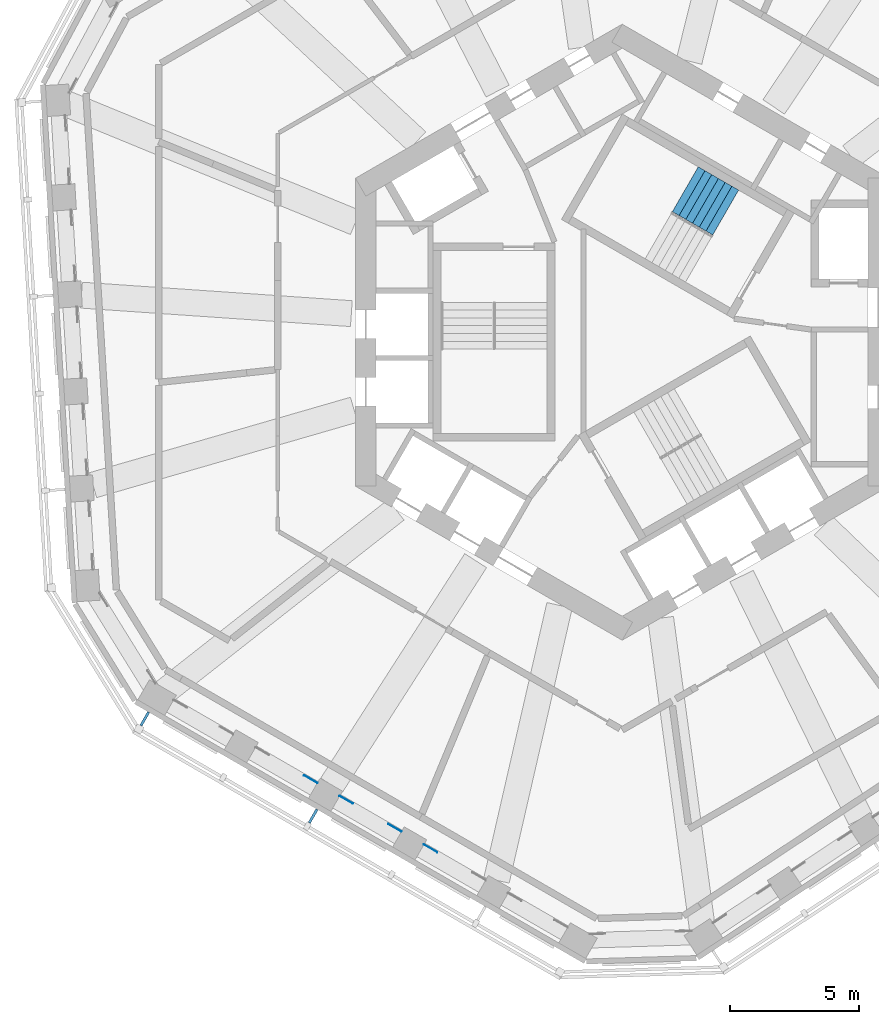
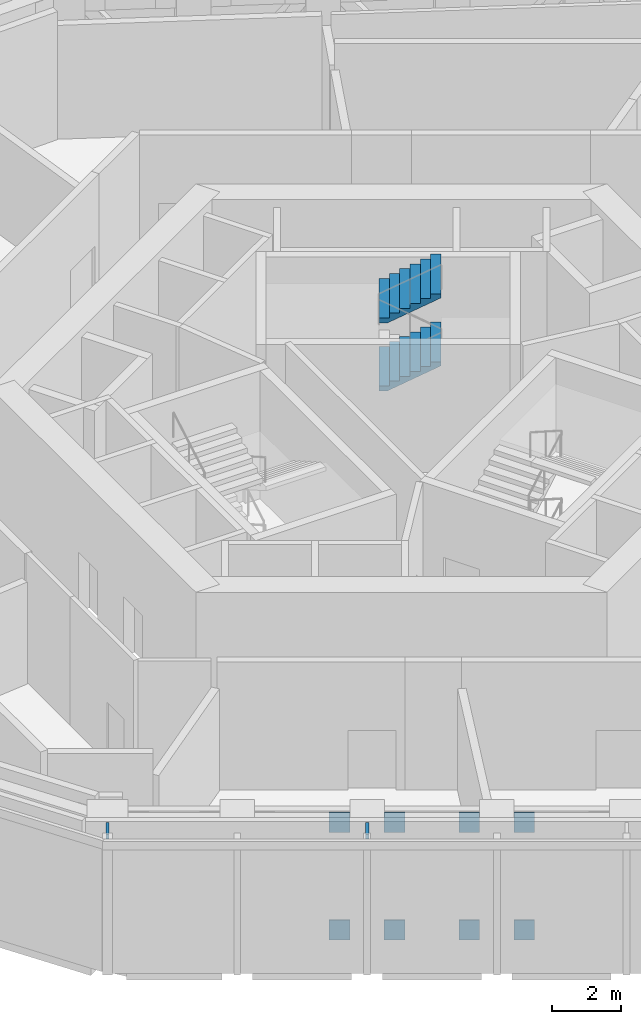
# One storey, part 10 of 15: 10 discrete accessories, 2 stair flights, 1 element without a shape of its own.
"""IFC4 building model written with IfcOpenShell, lengths in metres."""

from ifc_helpers import new_model, si_unit, direction, frame, origin, origin_2d, place, context, subcontext, project, spatial, rectangle, extrude, triangles, source, transform, mapped, material, layer, layer_set, type_object, element, aggregate, save


model = new_model("IFC4")

# Units and contexts
model_context = context("Model", 3, precision=1e-05, world=origin(), true_north=direction((0.0, 1.0)))
body_context = subcontext(model_context, "Body", "Model", "MODEL_VIEW")
ifc_project = project(units=[si_unit("LENGTHUNIT", "METRE"), si_unit("AREAUNIT", "SQUARE_METRE"), si_unit("VOLUMEUNIT", "CUBIC_METRE"), si_unit("PLANEANGLEUNIT", "RADIAN"), si_unit("MASSUNIT", "GRAM", prefix="KILO")], contexts=[model_context])

# Site, building, storey
site_placement = place(None, origin())
site = spatial("IfcSite", under=ifc_project, at=site_placement, CompositionType="ELEMENT")
building_placement = place(site_placement, origin())
building = spatial("IfcBuilding", under=site, at=building_placement, Name="Vanh Sen Convention Tower", CompositionType="ELEMENT")
storey_placement = place(building_placement, frame((0.0, 0.0, 205.800048828125)))
storey = spatial("IfcBuildingStorey", under=building, at=storey_placement, Name="L51", CompositionType="ELEMENT", Elevation=205.800048828125)

# Stair, stair flights
ifc_material_1 = material(Name="Concrete C50/60", Category="concrete")
stair_type = type_object("IfcStairType", Name="Exit stair ST1 28 risers at 171.4", PredefinedType="HALF_TURN_STAIR", material=ifc_material_1)
stair_placement = place(storey_placement, origin())
stair = element("IfcStair", 1, at=stair_placement, inside=storey, type_object=stair_type, Name="Exit stair ST1 L51", PredefinedType="HALF_TURN_STAIR")
ifc_material_2 = material(Name="Concrete C40/50", Category="concrete")
stair_flight_type = type_object("IfcStairFlightType", Name="Stair flight 2000", PredefinedType="STRAIGHT", material=ifc_material_2)
shared_shape = source(origin(), body_context, "Body", "Tessellation", [
    triangles([(0.251953125, 1.0, 0.0), (0.0, 1.0, 0.0), (0.0, 1.0, 0.17138671875), (0.300048828125, 1.0, 0.17138671875), (0.300048828125, 1.0, 0.3427734375), (0.60009765625, 1.0, 0.3427734375), (0.60009765625, 1.0, 0.514404296875), (0.89990234375, 1.0, 0.514404296875), (0.89990234375, 1.0, 0.685791015625), (1.199951171875, 1.0, 0.685791015625), (1.199951171875, 1.0, 0.857177734375), (1.5, 1.0, 0.857177734375), (1.5, 1.0, 1.028564453125), (1.800048828125, 1.0, 1.028564453125), (1.800048828125, 1.0, 0.884521484375), (0.251953125, -1.0, 0.0), (0.0, -1.0, 0.0), (0.0, -1.0, 0.17138671875), (0.300048828125, -1.0, 0.17138671875), (0.300048828125, -1.0, 0.3427734375), (0.60009765625, -1.0, 0.3427734375), (0.60009765625, -1.0, 0.514404296875), (0.89990234375, -1.0, 0.514404296875), (0.89990234375, -1.0, 0.685791015625), (1.199951171875, -1.0, 0.685791015625), (1.199951171875, -1.0, 0.857177734375), (1.5, -1.0, 0.857177734375), (1.5, -1.0, 1.028564453125), (1.800048828125, -1.0, 1.028564453125), (1.800048828125, -1.0, 0.884521484375), (0.0, 0.0400390625, 0.0), (0.0, 0.0390625, 0.0), (0.0, 0.0380859375, 0.0), (0.0, 0.037109375, 0.0), (0.0, 0.035888671875, 0.0), (0.0, 0.034912109375, 0.0), (0.0, 0.033935546875, 0.0), (0.0, 0.032958984375, 0.0), (0.0, 0.031982421875, 0.0), (0.0, 0.031005859375, 0.0), (0.0, 0.030029296875, 0.0), (0.0, 0.029052734375, 0.0), (0.0, 0.028076171875, 0.0), (0.0, 0.027099609375, 0.0), (0.0, 0.02587890625, 0.0), (0.0, 0.02490234375, 0.0), (0.0, 0.02392578125, 0.0), (0.0, 0.02294921875, 0.0), (0.0, 0.02197265625, 0.0), (0.0, 0.02099609375, 0.0), (0.0, 0.02001953125, 0.0), (0.0, 0.01904296875, 0.0), (0.0, 0.01806640625, 0.0), (0.0, 0.01708984375, 0.0), (0.0, 0.01611328125, 0.0), (0.0, 0.014892578125, 0.0), (0.0, 0.013916015625, 0.0), (0.0, 0.012939453125, 0.0), (0.0, 0.011962890625, 0.0), (0.0, 0.010986328125, 0.0), (0.0, 0.010009765625, 0.0), (0.0, 0.009033203125, 0.0), (0.0, 0.008056640625, 0.0), (0.0, 0.007080078125, 0.0), (0.0, 0.006103515625, 0.0), (0.0, 0.0048828125, 0.0), (0.0, 0.00390625, 0.0), (0.0, 0.0029296875, 0.0), (0.0, 0.001953125, 0.0), (0.0, 0.0009765625, 0.0), (0.0, 0.0, 0.0), (0.0, -0.0009765625, 0.0), (0.0, -0.001953125, 0.0), (0.0, -0.0029296875, 0.0), (0.0, -0.00390625, 0.0), (0.0, -0.0048828125, 0.0), (0.0, -0.006103515625, 0.0), (0.0, -0.007080078125, 0.0), (0.0, -0.008056640625, 0.0), (0.0, -0.009033203125, 0.0), (0.0, -0.010009765625, 0.0), (0.0, -0.010986328125, 0.0), (0.0, -0.011962890625, 0.0), (0.0, -0.012939453125, 0.0), (0.0, -0.013916015625, 0.0), (0.0, -0.014892578125, 0.0), (0.0, -0.01611328125, 0.0), (0.0, -0.01708984375, 0.0), (0.0, -0.01806640625, 0.0), (0.0, -0.01904296875, 0.0), (0.0, -0.02001953125, 0.0), (0.0, -0.02099609375, 0.0), (0.0, -0.02197265625, 0.0), (0.0, -0.02294921875, 0.0), (0.0, -0.02392578125, 0.0), (0.0, -0.02490234375, 0.0), (0.0, -0.02587890625, 0.0), (0.0, -0.027099609375, 0.0), (0.0, -0.028076171875, 0.0), (0.0, -0.029052734375, 0.0), (0.0, -0.030029296875, 0.0), (0.0, -0.031005859375, 0.0), (0.0, -0.031982421875, 0.0), (0.0, -0.032958984375, 0.0), (0.0, -0.033935546875, 0.0), (0.0, -0.034912109375, 0.0), (0.0, -0.035888671875, 0.0), (0.0, -0.037109375, 0.0), (0.0, -0.0380859375, 0.0), (0.0, -0.0390625, 0.0), (0.0, -0.0400390625, 0.0), (0.0, 0.0400390625, 0.17138671875), (0.0, 0.0390625, 0.17138671875), (0.0, 0.0380859375, 0.17138671875), (0.0, 0.037109375, 0.17138671875), (0.0, 0.035888671875, 0.17138671875), (0.0, 0.034912109375, 0.17138671875), (0.0, 0.033935546875, 0.17138671875), (0.0, 0.032958984375, 0.17138671875), (0.0, 0.031982421875, 0.17138671875), (0.0, 0.031005859375, 0.17138671875), (0.0, 0.030029296875, 0.17138671875), (0.0, 0.029052734375, 0.17138671875), (0.0, 0.028076171875, 0.17138671875), (0.0, 0.027099609375, 0.17138671875), (0.0, 0.02587890625, 0.17138671875), (0.0, 0.02490234375, 0.17138671875), (0.0, 0.02392578125, 0.17138671875), (0.0, 0.02294921875, 0.17138671875), (0.0, 0.02197265625, 0.17138671875), (0.0, 0.02099609375, 0.17138671875), (0.0, 0.02001953125, 0.17138671875), (0.0, 0.01904296875, 0.17138671875), (0.0, 0.01806640625, 0.17138671875), (0.0, 0.01708984375, 0.17138671875), (0.0, 0.01611328125, 0.17138671875), (0.0, 0.014892578125, 0.17138671875), (0.0, 0.013916015625, 0.17138671875), (0.0, 0.012939453125, 0.17138671875), (0.0, 0.011962890625, 0.17138671875), (0.0, 0.010986328125, 0.17138671875), (0.0, 0.010009765625, 0.17138671875), (0.0, 0.009033203125, 0.17138671875), (0.0, 0.008056640625, 0.17138671875), (0.0, 0.007080078125, 0.17138671875), (0.0, 0.006103515625, 0.17138671875), (0.0, 0.0048828125, 0.17138671875), (0.0, 0.00390625, 0.17138671875), (0.0, 0.0029296875, 0.17138671875), (0.0, 0.001953125, 0.17138671875), (0.0, 0.0009765625, 0.17138671875), (0.0, 0.0, 0.17138671875), (0.0, -0.0009765625, 0.17138671875), (0.0, -0.001953125, 0.17138671875), (0.0, -0.0029296875, 0.17138671875), (0.0, -0.00390625, 0.17138671875), (0.0, -0.0048828125, 0.17138671875), (0.0, -0.006103515625, 0.17138671875), (0.0, -0.007080078125, 0.17138671875), (0.0, -0.008056640625, 0.17138671875), (0.0, -0.009033203125, 0.17138671875), (0.0, -0.010009765625, 0.17138671875), (0.0, -0.010986328125, 0.17138671875), (0.0, -0.011962890625, 0.17138671875), (0.0, -0.012939453125, 0.17138671875), (0.0, -0.013916015625, 0.17138671875), (0.0, -0.014892578125, 0.17138671875), (0.0, -0.01611328125, 0.17138671875), (0.0, -0.01708984375, 0.17138671875), (0.0, -0.01806640625, 0.17138671875), (0.0, -0.01904296875, 0.17138671875), (0.0, -0.02001953125, 0.17138671875), (0.0, -0.02099609375, 0.17138671875), (0.0, -0.02197265625, 0.17138671875), (0.0, -0.02294921875, 0.17138671875), (0.0, -0.02392578125, 0.17138671875), (0.0, -0.02490234375, 0.17138671875), (0.0, -0.02587890625, 0.17138671875), (0.0, -0.027099609375, 0.17138671875), (0.0, -0.028076171875, 0.17138671875), (0.0, -0.029052734375, 0.17138671875), (0.0, -0.030029296875, 0.17138671875), (0.0, -0.031005859375, 0.17138671875), (0.0, -0.031982421875, 0.17138671875), (0.0, -0.032958984375, 0.17138671875), (0.0, -0.033935546875, 0.17138671875), (0.0, -0.034912109375, 0.17138671875), (0.0, -0.035888671875, 0.17138671875), (0.0, -0.037109375, 0.17138671875), (0.0, -0.0380859375, 0.17138671875), (0.0, -0.0390625, 0.17138671875), (0.0, -0.0400390625, 0.17138671875), (0.300048828125, 0.0, 0.17138671875), (0.300048828125, 0.0, 0.3427734375), (0.60009765625, 0.0, 0.3427734375), (0.60009765625, 0.0, 0.514404296875), (0.89990234375, 0.0, 0.514404296875), (0.89990234375, 0.0, 0.685791015625), (1.199951171875, 0.0, 0.685791015625), (1.199951171875, 0.0, 0.857177734375), (1.5, 0.0, 0.857177734375), (1.5, 0.0, 1.028564453125), (1.800048828125, 0.0400390625, 1.028564453125), (1.800048828125, 0.0390625, 1.028564453125), (1.800048828125, 0.0380859375, 1.028564453125), (1.800048828125, 0.037109375, 1.028564453125), (1.800048828125, 0.035888671875, 1.028564453125), (1.800048828125, 0.034912109375, 1.028564453125), (1.800048828125, 0.033935546875, 1.028564453125), (1.800048828125, 0.032958984375, 1.028564453125), (1.800048828125, 0.031982421875, 1.028564453125), (1.800048828125, 0.031005859375, 1.028564453125), (1.800048828125, 0.030029296875, 1.028564453125), (1.800048828125, 0.029052734375, 1.028564453125), (1.800048828125, 0.028076171875, 1.028564453125), (1.800048828125, 0.027099609375, 1.028564453125), (1.800048828125, 0.02587890625, 1.028564453125), (1.800048828125, 0.02490234375, 1.028564453125), (1.800048828125, 0.02392578125, 1.028564453125), (1.800048828125, 0.02294921875, 1.028564453125), (1.800048828125, 0.02197265625, 1.028564453125), (1.800048828125, 0.02099609375, 1.028564453125), (1.800048828125, 0.02001953125, 1.028564453125), (1.800048828125, 0.01904296875, 1.028564453125), (1.800048828125, 0.01806640625, 1.028564453125), (1.800048828125, 0.01708984375, 1.028564453125), (1.800048828125, 0.01611328125, 1.028564453125), (1.800048828125, 0.014892578125, 1.028564453125), (1.800048828125, 0.013916015625, 1.028564453125), (1.800048828125, 0.012939453125, 1.028564453125), (1.800048828125, 0.011962890625, 1.028564453125), (1.800048828125, 0.010986328125, 1.028564453125), (1.800048828125, 0.010009765625, 1.028564453125), (1.800048828125, 0.009033203125, 1.028564453125), (1.800048828125, 0.008056640625, 1.028564453125), (1.800048828125, 0.007080078125, 1.028564453125), (1.800048828125, 0.006103515625, 1.028564453125), (1.800048828125, 0.0048828125, 1.028564453125), (1.800048828125, 0.00390625, 1.028564453125), (1.800048828125, 0.0029296875, 1.028564453125), (1.800048828125, 0.001953125, 1.028564453125), (1.800048828125, 0.0009765625, 1.028564453125), (1.800048828125, 0.0, 1.028564453125), (1.800048828125, -0.0009765625, 1.028564453125), (1.800048828125, -0.001953125, 1.028564453125), (1.800048828125, -0.0029296875, 1.028564453125), (1.800048828125, -0.00390625, 1.028564453125), (1.800048828125, -0.0048828125, 1.028564453125), (1.800048828125, -0.006103515625, 1.028564453125), (1.800048828125, -0.007080078125, 1.028564453125), (1.800048828125, -0.008056640625, 1.028564453125), (1.800048828125, -0.009033203125, 1.028564453125), (1.800048828125, -0.010009765625, 1.028564453125), (1.800048828125, -0.010986328125, 1.028564453125), (1.800048828125, -0.011962890625, 1.028564453125), (1.800048828125, -0.012939453125, 1.028564453125), (1.800048828125, -0.013916015625, 1.028564453125), (1.800048828125, -0.014892578125, 1.028564453125), (1.800048828125, -0.01611328125, 1.028564453125), (1.800048828125, -0.01708984375, 1.028564453125), (1.800048828125, -0.01806640625, 1.028564453125), (1.800048828125, -0.01904296875, 1.028564453125), (1.800048828125, -0.02001953125, 1.028564453125), (1.800048828125, -0.02099609375, 1.028564453125), (1.800048828125, -0.02197265625, 1.028564453125), (1.800048828125, -0.02294921875, 1.028564453125), (1.800048828125, -0.02392578125, 1.028564453125), (1.800048828125, -0.02490234375, 1.028564453125), (1.800048828125, -0.02587890625, 1.028564453125), (1.800048828125, -0.027099609375, 1.028564453125), (1.800048828125, -0.028076171875, 1.028564453125), (1.800048828125, -0.029052734375, 1.028564453125), (1.800048828125, -0.030029296875, 1.028564453125), (1.800048828125, -0.031005859375, 1.028564453125), (1.800048828125, -0.031982421875, 1.028564453125), (1.800048828125, -0.032958984375, 1.028564453125), (1.800048828125, -0.033935546875, 1.028564453125), (1.800048828125, -0.034912109375, 1.028564453125), (1.800048828125, -0.035888671875, 1.028564453125), (1.800048828125, -0.037109375, 1.028564453125), (1.800048828125, -0.0380859375, 1.028564453125), (1.800048828125, -0.0390625, 1.028564453125), (1.800048828125, -0.0400390625, 1.028564453125), (1.800048828125, 0.0400390625, 0.884521484375), (1.800048828125, 0.0390625, 0.884521484375), (1.800048828125, 0.0380859375, 0.884521484375), (1.800048828125, 0.037109375, 0.884521484375), (1.800048828125, 0.035888671875, 0.884521484375), (1.800048828125, 0.034912109375, 0.884521484375), (1.800048828125, 0.033935546875, 0.884521484375), (1.800048828125, 0.032958984375, 0.884521484375), (1.800048828125, 0.031982421875, 0.884521484375), (1.800048828125, 0.031005859375, 0.884521484375), (1.800048828125, 0.030029296875, 0.884521484375), (1.800048828125, 0.029052734375, 0.884521484375), (1.800048828125, 0.028076171875, 0.884521484375), (1.800048828125, 0.027099609375, 0.884521484375), (1.800048828125, 0.02587890625, 0.884521484375), (1.800048828125, 0.02490234375, 0.884521484375), (1.800048828125, 0.02392578125, 0.884521484375), (1.800048828125, 0.02294921875, 0.884521484375), (1.800048828125, 0.02197265625, 0.884521484375), (1.800048828125, 0.02099609375, 0.884521484375), (1.800048828125, 0.02001953125, 0.884521484375), (1.800048828125, 0.01904296875, 0.884521484375), (1.800048828125, 0.01806640625, 0.884521484375), (1.800048828125, 0.01708984375, 0.884521484375), (1.800048828125, 0.01611328125, 0.884521484375), (1.800048828125, 0.014892578125, 0.884521484375), (1.800048828125, 0.013916015625, 0.884521484375), (1.800048828125, 0.012939453125, 0.884521484375), (1.800048828125, 0.011962890625, 0.884521484375), (1.800048828125, 0.010986328125, 0.884521484375), (1.800048828125, 0.010009765625, 0.884521484375), (1.800048828125, 0.009033203125, 0.884521484375), (1.800048828125, 0.008056640625, 0.884521484375), (1.800048828125, 0.007080078125, 0.884521484375), (1.800048828125, 0.006103515625, 0.884521484375), (1.800048828125, 0.0048828125, 0.884521484375), (1.800048828125, 0.00390625, 0.884521484375), (1.800048828125, 0.0029296875, 0.884521484375), (1.800048828125, 0.001953125, 0.884521484375), (1.800048828125, 0.0009765625, 0.884521484375), (1.800048828125, 0.0, 0.884521484375), (1.800048828125, -0.0009765625, 0.884521484375), (1.800048828125, -0.001953125, 0.884521484375), (1.800048828125, -0.0029296875, 0.884521484375), (1.800048828125, -0.00390625, 0.884521484375), (1.800048828125, -0.0048828125, 0.884521484375), (1.800048828125, -0.006103515625, 0.884521484375), (1.800048828125, -0.007080078125, 0.884521484375), (1.800048828125, -0.008056640625, 0.884521484375), (1.800048828125, -0.009033203125, 0.884521484375), (1.800048828125, -0.010009765625, 0.884521484375), (1.800048828125, -0.010986328125, 0.884521484375), (1.800048828125, -0.011962890625, 0.884521484375), (1.800048828125, -0.012939453125, 0.884521484375), (1.800048828125, -0.013916015625, 0.884521484375), (1.800048828125, -0.014892578125, 0.884521484375), (1.800048828125, -0.01611328125, 0.884521484375), (1.800048828125, -0.01708984375, 0.884521484375), (1.800048828125, -0.01806640625, 0.884521484375), (1.800048828125, -0.01904296875, 0.884521484375), (1.800048828125, -0.02001953125, 0.884521484375), (1.800048828125, -0.02099609375, 0.884521484375), (1.800048828125, -0.02197265625, 0.884521484375), (1.800048828125, -0.02294921875, 0.884521484375), (1.800048828125, -0.02392578125, 0.884521484375), (1.800048828125, -0.02490234375, 0.884521484375), (1.800048828125, -0.02587890625, 0.884521484375), (1.800048828125, -0.027099609375, 0.884521484375), (1.800048828125, -0.028076171875, 0.884521484375), (1.800048828125, -0.029052734375, 0.884521484375), (1.800048828125, -0.030029296875, 0.884521484375), (1.800048828125, -0.031005859375, 0.884521484375), (1.800048828125, -0.031982421875, 0.884521484375), (1.800048828125, -0.032958984375, 0.884521484375), (1.800048828125, -0.033935546875, 0.884521484375), (1.800048828125, -0.034912109375, 0.884521484375), (1.800048828125, -0.035888671875, 0.884521484375), (1.800048828125, -0.037109375, 0.884521484375), (1.800048828125, -0.0380859375, 0.884521484375), (1.800048828125, -0.0390625, 0.884521484375), (1.800048828125, -0.0400390625, 0.884521484375), (0.251953125, 0.0, 0.0)], [[1, 2, 3], [1, 3, 4], [4, 5, 6], [1, 4, 6], [6, 7, 8], [1, 6, 8], [8, 9, 10], [1, 8, 10], [10, 11, 12], [1, 10, 12], [12, 13, 14], [1, 12, 14], [14, 15, 1], [16, 18, 17], [16, 19, 18], [19, 21, 20], [16, 21, 19], [21, 23, 22], [16, 23, 21], [23, 25, 24], [16, 25, 23], [25, 27, 26], [16, 27, 25], [27, 29, 28], [16, 29, 27], [29, 16, 30], [2, 112, 3], [2, 31, 112], [31, 113, 112], [31, 32, 113], [32, 114, 113], [32, 33, 114], [33, 115, 114], [33, 34, 115], [34, 116, 115], [34, 35, 116], [35, 117, 116], [35, 36, 117], [36, 118, 117], [36, 37, 118], [37, 119, 118], [37, 38, 119], [38, 120, 119], [38, 39, 120], [39, 121, 120], [39, 40, 121], [40, 122, 121], [40, 41, 122], [41, 123, 122], [41, 42, 123], [42, 124, 123], [42, 43, 124], [43, 125, 124], [43, 44, 125], [44, 126, 125], [44, 45, 126], [45, 127, 126], [45, 46, 127], [46, 128, 127], [46, 47, 128], [47, 129, 128], [47, 48, 129], [48, 130, 129], [48, 49, 130], [49, 131, 130], [49, 50, 131], [50, 132, 131], [50, 51, 132], [51, 133, 132], [51, 52, 133], [52, 134, 133], [52, 53, 134], [53, 135, 134], [53, 54, 135], [54, 136, 135], [54, 55, 136], [55, 137, 136], [55, 56, 137], [56, 138, 137], [56, 57, 138], [57, 139, 138], [57, 58, 139], [58, 140, 139], [58, 59, 140], [59, 141, 140], [59, 60, 141], [60, 142, 141], [60, 61, 142], [61, 143, 142], [61, 62, 143], [62, 144, 143], [62, 63, 144], [63, 145, 144], [63, 64, 145], [64, 146, 145], [64, 65, 146], [65, 147, 146], [65, 66, 147], [66, 148, 147], [66, 67, 148], [67, 149, 148], [67, 68, 149], [68, 150, 149], [68, 69, 150], [69, 151, 150], [69, 70, 151], [70, 152, 151], [70, 71, 152], [71, 72, 152], [152, 72, 153], [72, 73, 153], [153, 73, 154], [73, 74, 154], [154, 74, 155], [74, 75, 155], [155, 75, 156], [75, 76, 156], [156, 76, 157], [76, 77, 157], [157, 77, 158], [77, 78, 158], [158, 78, 159], [78, 79, 159], [159, 79, 160], [79, 80, 160], [160, 80, 161], [80, 81, 161], [161, 81, 162], [81, 82, 162], [162, 82, 163], [82, 83, 163], [163, 83, 164], [83, 84, 164], [164, 84, 165], [84, 85, 165], [165, 85, 166], [85, 86, 166], [166, 86, 167], [86, 87, 167], [167, 87, 168], [87, 88, 168], [168, 88, 169], [88, 89, 169], [169, 89, 170], [89, 90, 170], [170, 90, 171], [90, 91, 171], [171, 91, 172], [91, 92, 172], [172, 92, 173], [92, 93, 173], [173, 93, 174], [93, 94, 174], [174, 94, 175], [94, 95, 175], [175, 95, 176], [95, 96, 176], [176, 96, 177], [96, 97, 177], [177, 97, 178], [97, 98, 178], [178, 98, 179], [98, 99, 179], [179, 99, 180], [99, 100, 180], [180, 100, 181], [100, 101, 181], [181, 101, 182], [101, 102, 182], [182, 102, 183], [102, 103, 183], [183, 103, 184], [103, 104, 184], [184, 104, 185], [104, 105, 185], [185, 105, 186], [105, 106, 186], [186, 106, 187], [106, 107, 187], [187, 107, 188], [107, 108, 188], [188, 108, 189], [108, 109, 189], [189, 109, 190], [109, 110, 190], [190, 110, 191], [110, 111, 191], [191, 111, 192], [111, 17, 192], [192, 17, 18], [4, 3, 112], [4, 112, 113], [4, 113, 114], [4, 114, 115], [4, 115, 116], [4, 116, 117], [4, 117, 118], [4, 118, 119], [4, 119, 120], [4, 120, 121], [4, 121, 122], [4, 122, 123], [4, 123, 124], [4, 124, 125], [4, 125, 126], [4, 126, 127], [4, 127, 128], [4, 128, 129], [4, 129, 130], [4, 130, 131], [4, 131, 132], [4, 132, 133], [4, 133, 134], [4, 134, 135], [4, 135, 136], [4, 136, 137], [4, 137, 138], [4, 138, 139], [4, 139, 140], [4, 140, 141], [4, 141, 142], [4, 142, 143], [4, 143, 144], [4, 144, 145], [4, 145, 146], [4, 146, 147], [4, 147, 148], [4, 148, 149], [4, 149, 150], [4, 150, 151], [4, 151, 152], [19, 152, 153], [19, 153, 154], [19, 154, 155], [19, 155, 156], [19, 156, 157], [19, 157, 158], [19, 158, 159], [19, 159, 160], [19, 160, 161], [19, 161, 162], [19, 162, 163], [19, 163, 164], [19, 164, 165], [19, 165, 166], [19, 166, 167], [19, 167, 168], [19, 168, 169], [19, 169, 170], [19, 170, 171], [19, 171, 172], [19, 172, 173], [19, 173, 174], [19, 174, 175], [19, 175, 176], [19, 176, 177], [19, 177, 178], [19, 178, 179], [19, 179, 180], [19, 180, 181], [19, 181, 182], [19, 182, 183], [19, 183, 184], [19, 184, 185], [19, 185, 186], [19, 186, 187], [19, 187, 188], [19, 188, 189], [19, 189, 190], [19, 190, 191], [19, 191, 192], [19, 192, 18], [4, 152, 193], [19, 193, 152], [4, 194, 5], [4, 193, 194], [193, 19, 194], [194, 19, 20], [5, 195, 6], [5, 194, 195], [194, 20, 195], [195, 20, 21], [6, 196, 7], [6, 195, 196], [195, 21, 196], [196, 21, 22], [7, 197, 8], [7, 196, 197], [196, 22, 197], [197, 22, 23], [8, 198, 9], [8, 197, 198], [197, 23, 198], [198, 23, 24], [9, 199, 10], [9, 198, 199], [198, 24, 199], [199, 24, 25], [10, 200, 11], [10, 199, 200], [199, 25, 200], [200, 25, 26], [11, 201, 12], [11, 200, 201], [200, 26, 201], [201, 26, 27], [12, 202, 13], [12, 201, 202], [201, 27, 202], [202, 27, 28], [13, 203, 14], [13, 204, 203], [13, 205, 204], [13, 206, 205], [13, 207, 206], [13, 208, 207], [13, 209, 208], [13, 210, 209], [13, 211, 210], [13, 212, 211], [13, 213, 212], [13, 214, 213], [13, 215, 214], [13, 216, 215], [13, 217, 216], [13, 218, 217], [13, 219, 218], [13, 220, 219], [13, 221, 220], [13, 222, 221], [13, 223, 222], [13, 224, 223], [13, 225, 224], [13, 226, 225], [13, 227, 226], [13, 228, 227], [13, 229, 228], [13, 230, 229], [13, 231, 230], [13, 232, 231], [13, 233, 232], [13, 234, 233], [13, 235, 234], [13, 236, 235], [13, 237, 236], [13, 238, 237], [13, 239, 238], [13, 240, 239], [13, 241, 240], [13, 242, 241], [13, 243, 242], [28, 244, 243], [28, 245, 244], [28, 246, 245], [28, 247, 246], [28, 248, 247], [28, 249, 248], [28, 250, 249], [28, 251, 250], [28, 252, 251], [28, 253, 252], [28, 254, 253], [28, 255, 254], [28, 256, 255], [28, 257, 256], [28, 258, 257], [28, 259, 258], [28, 260, 259], [28, 261, 260], [28, 262, 261], [28, 263, 262], [28, 264, 263], [28, 265, 264], [28, 266, 265], [28, 267, 266], [28, 268, 267], [28, 269, 268], [28, 270, 269], [28, 271, 270], [28, 272, 271], [28, 273, 272], [28, 274, 273], [28, 275, 274], [28, 276, 275], [28, 277, 276], [28, 278, 277], [28, 279, 278], [28, 280, 279], [28, 281, 280], [28, 282, 281], [28, 283, 282], [28, 29, 283], [13, 202, 243], [28, 243, 202], [14, 284, 15], [14, 203, 284], [203, 285, 284], [203, 204, 285], [204, 286, 285], [204, 205, 286], [205, 287, 286], [205, 206, 287], [206, 288, 287], [206, 207, 288], [207, 289, 288], [207, 208, 289], [208, 290, 289], [208, 209, 290], [209, 291, 290], [209, 210, 291], [210, 292, 291], [210, 211, 292], [211, 293, 292], [211, 212, 293], [212, 294, 293], [212, 213, 294], [213, 295, 294], [213, 214, 295], [214, 296, 295], [214, 215, 296], [215, 297, 296], [215, 216, 297], [216, 298, 297], [216, 217, 298], [217, 299, 298], [217, 218, 299], [218, 300, 299], [218, 219, 300], [219, 301, 300], [219, 220, 301], [220, 302, 301], [220, 221, 302], [221, 303, 302], [221, 222, 303], [222, 304, 303], [222, 223, 304], [223, 305, 304], [223, 224, 305], [224, 306, 305], [224, 225, 306], [225, 307, 306], [225, 226, 307], [226, 308, 307], [226, 227, 308], [227, 309, 308], [227, 228, 309], [228, 310, 309], [228, 229, 310], [229, 311, 310], [229, 230, 311], [230, 312, 311], [230, 231, 312], [231, 313, 312], [231, 232, 313], [232, 314, 313], [232, 233, 314], [233, 315, 314], [233, 234, 315], [234, 316, 315], [234, 235, 316], [235, 317, 316], [235, 236, 317], [236, 318, 317], [236, 237, 318], [237, 319, 318], [237, 238, 319], [238, 320, 319], [238, 239, 320], [239, 321, 320], [239, 240, 321], [240, 322, 321], [240, 241, 322], [241, 323, 322], [241, 242, 323], [242, 324, 323], [242, 243, 324], [243, 244, 324], [324, 244, 325], [244, 245, 325], [325, 245, 326], [245, 246, 326], [326, 246, 327], [246, 247, 327], [327, 247, 328], [247, 248, 328], [328, 248, 329], [248, 249, 329], [329, 249, 330], [249, 250, 330], [330, 250, 331], [250, 251, 331], [331, 251, 332], [251, 252, 332], [332, 252, 333], [252, 253, 333], [333, 253, 334], [253, 254, 334], [334, 254, 335], [254, 255, 335], [335, 255, 336], [255, 256, 336], [336, 256, 337], [256, 257, 337], [337, 257, 338], [257, 258, 338], [338, 258, 339], [258, 259, 339], [339, 259, 340], [259, 260, 340], [340, 260, 341], [260, 261, 341], [341, 261, 342], [261, 262, 342], [342, 262, 343], [262, 263, 343], [343, 263, 344], [263, 264, 344], [344, 264, 345], [264, 265, 345], [345, 265, 346], [265, 266, 346], [346, 266, 347], [266, 267, 347], [347, 267, 348], [267, 268, 348], [348, 268, 349], [268, 269, 349], [349, 269, 350], [269, 270, 350], [350, 270, 351], [270, 271, 351], [351, 271, 352], [271, 272, 352], [352, 272, 353], [272, 273, 353], [353, 273, 354], [273, 274, 354], [354, 274, 355], [274, 275, 355], [355, 275, 356], [275, 276, 356], [356, 276, 357], [276, 277, 357], [357, 277, 358], [277, 278, 358], [358, 278, 359], [278, 279, 359], [359, 279, 360], [279, 280, 360], [360, 280, 361], [280, 281, 361], [361, 281, 362], [281, 282, 362], [362, 282, 363], [282, 283, 363], [363, 283, 364], [283, 29, 364], [364, 29, 30], [1, 15, 284], [1, 284, 285], [1, 285, 286], [1, 286, 287], [1, 287, 288], [1, 288, 289], [1, 289, 290], [1, 290, 291], [1, 291, 292], [1, 292, 293], [1, 293, 294], [1, 294, 295], [1, 295, 296], [1, 296, 297], [1, 297, 298], [1, 298, 299], [1, 299, 300], [1, 300, 301], [1, 301, 302], [1, 302, 303], [1, 303, 304], [1, 304, 305], [1, 305, 306], [1, 306, 307], [1, 307, 308], [1, 308, 309], [1, 309, 310], [1, 310, 311], [1, 311, 312], [1, 312, 313], [1, 313, 314], [1, 314, 315], [1, 315, 316], [1, 316, 317], [1, 317, 318], [1, 318, 319], [1, 319, 320], [1, 320, 321], [1, 321, 322], [1, 322, 323], [1, 323, 324], [16, 324, 325], [16, 325, 326], [16, 326, 327], [16, 327, 328], [16, 328, 329], [16, 329, 330], [16, 330, 331], [16, 331, 332], [16, 332, 333], [16, 333, 334], [16, 334, 335], [16, 335, 336], [16, 336, 337], [16, 337, 338], [16, 338, 339], [16, 339, 340], [16, 340, 341], [16, 341, 342], [16, 342, 343], [16, 343, 344], [16, 344, 345], [16, 345, 346], [16, 346, 347], [16, 347, 348], [16, 348, 349], [16, 349, 350], [16, 350, 351], [16, 351, 352], [16, 352, 353], [16, 353, 354], [16, 354, 355], [16, 355, 356], [16, 356, 357], [16, 357, 358], [16, 358, 359], [16, 359, 360], [16, 360, 361], [16, 361, 362], [16, 362, 363], [16, 363, 364], [16, 364, 30], [1, 324, 365], [16, 365, 324], [1, 31, 2], [1, 32, 31], [1, 33, 32], [1, 34, 33], [1, 35, 34], [1, 36, 35], [1, 37, 36], [1, 38, 37], [1, 39, 38], [1, 40, 39], [1, 41, 40], [1, 42, 41], [1, 43, 42], [1, 44, 43], [1, 45, 44], [1, 46, 45], [1, 47, 46], [1, 48, 47], [1, 49, 48], [1, 50, 49], [1, 51, 50], [1, 52, 51], [1, 53, 52], [1, 54, 53], [1, 55, 54], [1, 56, 55], [1, 57, 56], [1, 58, 57], [1, 59, 58], [1, 60, 59], [1, 61, 60], [1, 62, 61], [1, 63, 62], [1, 64, 63], [1, 65, 64], [1, 66, 65], [1, 67, 66], [1, 68, 67], [1, 69, 68], [1, 70, 69], [1, 71, 70], [16, 72, 71], [16, 73, 72], [16, 74, 73], [16, 75, 74], [16, 76, 75], [16, 77, 76], [16, 78, 77], [16, 79, 78], [16, 80, 79], [16, 81, 80], [16, 82, 81], [16, 83, 82], [16, 84, 83], [16, 85, 84], [16, 86, 85], [16, 87, 86], [16, 88, 87], [16, 89, 88], [16, 90, 89], [16, 91, 90], [16, 92, 91], [16, 93, 92], [16, 94, 93], [16, 95, 94], [16, 96, 95], [16, 97, 96], [16, 98, 97], [16, 99, 98], [16, 100, 99], [16, 101, 100], [16, 102, 101], [16, 103, 102], [16, 104, 103], [16, 105, 104], [16, 106, 105], [16, 107, 106], [16, 108, 107], [16, 109, 108], [16, 110, 109], [16, 111, 110], [16, 17, 111], [1, 365, 71], [16, 71, 365]], closed=True),
])
stair_flight_1_placement = place(storey_placement, frame((2.43701171875, 5.521240234375, 1.199951171875), z_axis=(0.0, 0.0, 1.0), x_axis=(0.866025403784, -0.5, 0.0)))
stair_flight_1 = element("IfcStairFlight", 2, at=stair_flight_1_placement, type_object=stair_flight_type, Name="ST1 flight 2", NumberOfRisers=7, NumberOfTreads=6, PredefinedType="STRAIGHT", RiserHeight=0.171428571, TreadLength=0.3, context=body_context, shape_type="MappedRepresentation", body=[
    mapped(shared_shape, transform((0.0, 0.0, 0.0))),
])
stair_flight_2_placement = place(storey_placement, frame((2.43701171875, 5.521240234375, 3.599853515625), z_axis=(0.0, 0.0, 1.0), x_axis=(0.866025403784, -0.5, 0.0)))
stair_flight_2 = element("IfcStairFlight", 3, at=stair_flight_2_placement, type_object=stair_flight_type, Name="ST1 flight 4", NumberOfRisers=7, NumberOfTreads=6, PredefinedType="STRAIGHT", RiserHeight=0.171428571, TreadLength=0.3, context=body_context, shape_type="MappedRepresentation", body=[
    mapped(shared_shape, transform((0.0, 0.0, 0.0))),
])
aggregate(stair, [stair_flight_1, stair_flight_2])

# Discrete accessories
ifc_material_3 = material(Name="Steel S355", Category="steel")
ifc_layer = layer(ifc_material_3, 0.02001953125)
ifc_layer_set = layer_set([ifc_layer], Name="Steel S355")
discrete_accessory_type_1 = type_object("IfcDiscreteAccessoryType", Name="Belt truss gusset plate 600 x 700 x 20", PredefinedType="USERDEFINED", material=ifc_layer_set)
for number, where, z_axis, x_axis, name in (
    (4, (-12.03076171875, -17.26220703125, 0.0), (0.0, 0.0, 1.0), (-0.866028021766, 0.499995465495, 0.0), "GUSSET PLATE belt truss chord bottom 26 L51 end"),
    (5, (-12.03076171875, -17.26220703125, 3.7998046875), (0.0, 0.0, 1.0), (-0.866028021766, 0.499995465495, 0.0), "GUSSET PLATE belt truss chord top 26 L51 end"),
    (6, (-10.65380859375, -18.057373046875, 0.0), (0.0, 0.0, 1.0), (0.86602365845, -0.500003022996, 0.0), "GUSSET PLATE belt truss chord bottom 27 L51 start"),
    (7, (-8.779541015625, -19.139404296875, 0.0), (0.0, 0.0, 1.0), (-0.86602365845, 0.500003022996, 0.0), "GUSSET PLATE belt truss chord bottom 27 L51 end"),
    (8, (-10.65380859375, -18.057373046875, 3.7998046875), (0.0, 0.0, 1.0), (0.86602365845, -0.500003022996, 0.0), "GUSSET PLATE belt truss chord top 27 L51 start"),
    (9, (-8.779541015625, -19.139404296875, 3.7998046875), (0.0, 0.0, 1.0), (-0.86602365845, 0.500003022996, 0.0), "GUSSET PLATE belt truss chord top 27 L51 end"),
    (10, (-7.402587890625, -19.934326171875, 0.0), (0.0, 0.0, 1.0), (0.866016677006, -0.500015114919, 0.0), "GUSSET PLATE belt truss chord bottom 28 L51 start"),
    (11, (-7.402587890625, -19.934326171875, 3.7998046875), (0.0, 0.0, 1.0), (0.866016677006, -0.500015114919, 0.0), "GUSSET PLATE belt truss chord top 28 L51 start"),
):
    element("IfcDiscreteAccessory", number, at=place(storey_placement, frame(where, z_axis=z_axis, x_axis=x_axis)), inside=storey, type_object=discrete_accessory_type_1, Name=name, ObjectType="GUSSET PLATE", PredefinedType="USERDEFINED", context=body_context, shape_type="SweptSolid", body=[
        extrude(rectangle(XDim=0.60009765625, YDim=0.02001953125, at=origin_2d()), origin(), (0.0, 0.0, 1.0), 0.699951171875),
    ])
ifc_material_4 = material(Name="Steel S355", Category="steel")
discrete_accessory_type_2 = type_object("IfcDiscreteAccessoryType", Name="Fin bracket 100 x 150", PredefinedType="BRACKET", material=ifc_material_4)
for number, where, z_axis, x_axis, name in (
    (12, (-18.43701171875, -14.931884765625, 4.60009765625), (0.0, 0.0, 1.0), (-0.5, -0.866025403784, 0.0), "Fin bracket SW-1 L51"),
    (13, (-11.934814453125, -18.68603515625, 4.60009765625), (0.0, 0.0, 1.0), (-0.5, -0.866025403784, 0.0), "Fin bracket SW-3 L51"),
):
    element("IfcDiscreteAccessory", number, at=place(storey_placement, frame(where, z_axis=z_axis, x_axis=x_axis)), inside=storey, type_object=discrete_accessory_type_2, Name=name, PredefinedType="BRACKET", context=body_context, shape_type="SweptSolid", body=[
        extrude(rectangle(XDim=0.60009765625, YDim=0.10009765625, at=origin_2d()), origin(), (0.0, 0.0, 1.0), 0.14990234375),
    ])

save(model, "model.ifc")
